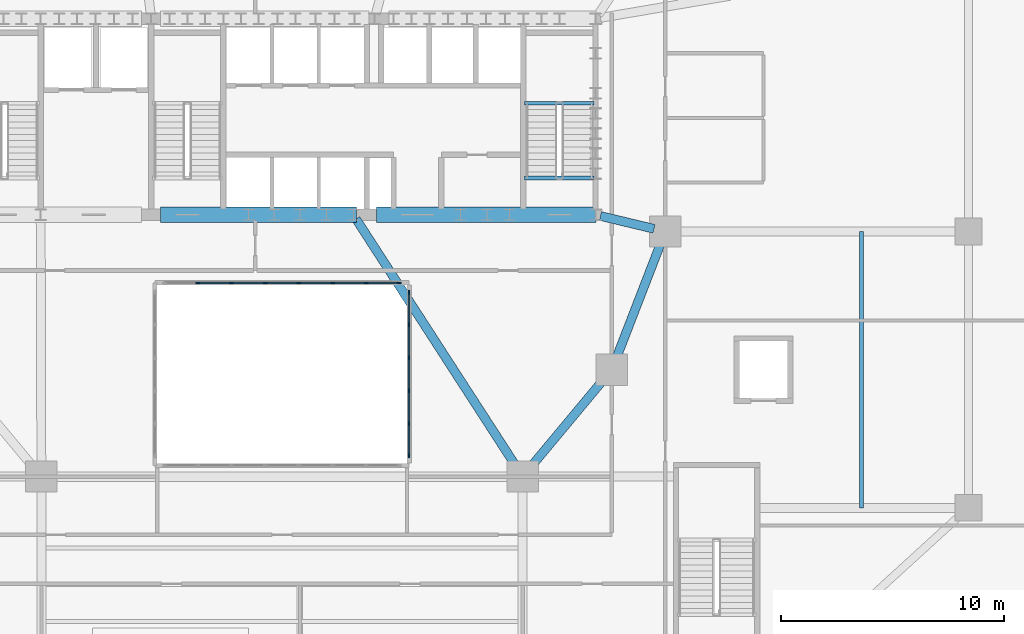
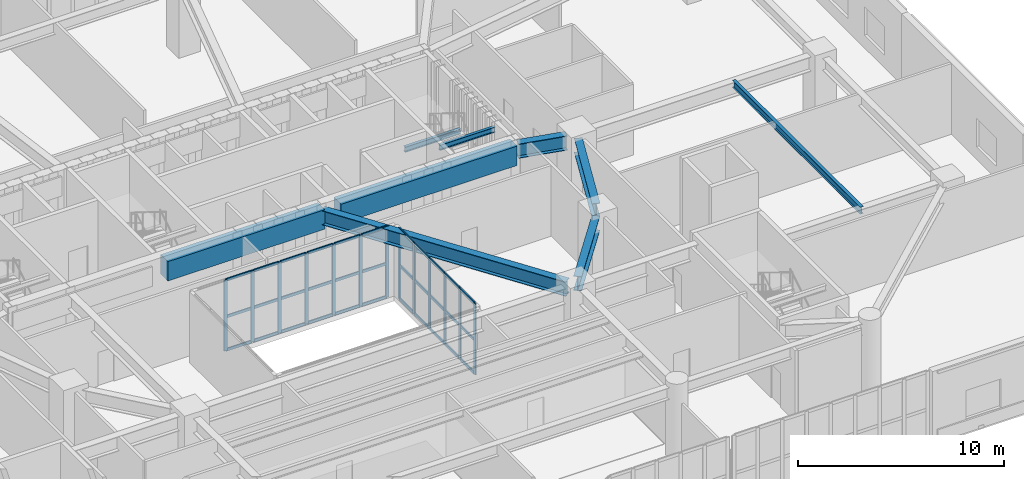
# One storey, part 7 of 25: 46 members, 9 beams, 2 elements without a shape of their own.
"""IFC4 building model written with IfcOpenShell, lengths in metres."""

from ifc_helpers import new_model, si_unit, direction, frame, origin, origin_2d, place, context, subcontext, project, spatial, rectangle, i_section, extrude, material, material_profile, profile_set, type_object, element, aggregate, save


model = new_model("IFC4")

# Units and contexts
model_context = context("Model", 3, precision=1e-05, world=origin(), true_north=direction((0.0, 1.0)))
body_context = subcontext(model_context, "Body", "Model", "MODEL_VIEW")
ifc_project = project(units=[si_unit("LENGTHUNIT", "METRE"), si_unit("AREAUNIT", "SQUARE_METRE"), si_unit("VOLUMEUNIT", "CUBIC_METRE"), si_unit("PLANEANGLEUNIT", "RADIAN"), si_unit("MASSUNIT", "GRAM", prefix="KILO")], contexts=[model_context])

# Site, building, storey
site_placement = place(None, origin())
site = spatial("IfcSite", under=ifc_project, at=site_placement, CompositionType="ELEMENT")
building_placement = place(site_placement, origin())
building = spatial("IfcBuilding", under=site, at=building_placement, Name="Haldorwick Loom Tower", CompositionType="ELEMENT")
storey_placement = place(building_placement, frame((0.0, 0.0, 10.5)))
storey = spatial("IfcBuildingStorey", under=building, at=storey_placement, Name="L02", CompositionType="ELEMENT", Elevation=10.5)

# Curtain wall, members
ifc_material_1 = material(Name="Thermally Broken Anodized Aluminium Curtain Wall Framing", Category="aluminium")
curtain_wall_type = type_object("IfcCurtainWallType", Name="ARC-CW-03", PredefinedType="NOTDEFINED", material=ifc_material_1)
curtain_wall_1_placement = place(storey_placement, origin())
curtain_wall_1 = element("IfcCurtainWall", 1, at=curtain_wall_1_placement, inside=storey, type_object=curtain_wall_type, Name="L02 Atrium Glazed Screen N", PredefinedType="NOTDEFINED")
ifc_material_profile_1 = material_profile(ifc_material_1, rectangle(XDim=0.06591796875, YDim=0.18505859375, at=origin_2d()), Name="ALU_MUL_66X185", Category="aluminium")
ifc_profile_set_1 = profile_set([ifc_material_profile_1], Name="Thermally Broken Anodized Aluminium Curtain Wall Framing")
member_type_1 = type_object("IfcMemberType", Name="ARC-CWM-03", PredefinedType="MULLION", material=ifc_profile_set_1)
member_1_placement = place(storey_placement, frame((32.21435546875, 23.699951171875, 0.0), z_axis=(0.0, 0.0, 1.0), x_axis=(0.0, 1.0, 0.0)))
member_1 = element("IfcMember", 2, at=member_1_placement, type_object=member_type_1, Name="CW-03 mullion 2", PredefinedType="MULLION", context=body_context, shape_type="SweptSolid", body=[
    extrude(rectangle(XDim=0.06591796875, YDim=0.18505859375, at=origin_2d()), origin(), (0.0, 0.0, 1.0), 4.199951171875),
])
member_2_placement = place(storey_placement, frame((33.728515625, 23.699951171875, 0.0), z_axis=(0.0, 0.0, 1.0), x_axis=(0.0, 1.0, 0.0)))
member_2 = element("IfcMember", 3, at=member_2_placement, type_object=member_type_1, Name="CW-03 mullion 3", PredefinedType="MULLION", context=body_context, shape_type="SweptSolid", body=[
    extrude(rectangle(XDim=0.06591796875, YDim=0.18505859375, at=origin_2d()), origin(), (0.0, 0.0, 1.0), 4.199951171875),
])
member_3_placement = place(storey_placement, frame((35.242919921875, 23.699951171875, 0.0), z_axis=(0.0, 0.0, 1.0), x_axis=(0.0, 1.0, 0.0)))
member_3 = element("IfcMember", 4, at=member_3_placement, type_object=member_type_1, Name="CW-03 mullion 4", PredefinedType="MULLION", context=body_context, shape_type="SweptSolid", body=[
    extrude(rectangle(XDim=0.06591796875, YDim=0.18505859375, at=origin_2d()), origin(), (0.0, 0.0, 1.0), 4.199951171875),
])
member_4_placement = place(storey_placement, frame((36.757080078125, 23.699951171875, 0.0), z_axis=(0.0, 0.0, 1.0), x_axis=(0.0, 1.0, 0.0)))
member_4 = element("IfcMember", 5, at=member_4_placement, type_object=member_type_1, Name="CW-03 mullion 5", PredefinedType="MULLION", context=body_context, shape_type="SweptSolid", body=[
    extrude(rectangle(XDim=0.06591796875, YDim=0.18505859375, at=origin_2d()), origin(), (0.0, 0.0, 1.0), 4.199951171875),
])
member_5_placement = place(storey_placement, frame((38.271484375, 23.699951171875, 0.0), z_axis=(0.0, 0.0, 1.0), x_axis=(0.0, 1.0, 0.0)))
member_5 = element("IfcMember", 6, at=member_5_placement, type_object=member_type_1, Name="CW-03 mullion 6", PredefinedType="MULLION", context=body_context, shape_type="SweptSolid", body=[
    extrude(rectangle(XDim=0.06591796875, YDim=0.18505859375, at=origin_2d()), origin(), (0.0, 0.0, 1.0), 4.199951171875),
])
member_6_placement = place(storey_placement, frame((39.78564453125, 23.699951171875, 0.0), z_axis=(0.0, 0.0, 1.0), x_axis=(0.0, 1.0, 0.0)))
member_6 = element("IfcMember", 7, at=member_6_placement, type_object=member_type_1, Name="CW-03 mullion 7", PredefinedType="MULLION", context=body_context, shape_type="SweptSolid", body=[
    extrude(rectangle(XDim=0.06591796875, YDim=0.18505859375, at=origin_2d()), origin(), (0.0, 0.0, 1.0), 4.199951171875),
])
member_7_placement = place(storey_placement, frame((41.26708984375, 23.699951171875, 0.0), z_axis=(0.0, 0.0, 1.0), x_axis=(0.0, 1.0, 0.0)))
member_7 = element("IfcMember", 8, at=member_7_placement, type_object=member_type_1, Name="CW-03 mullion 8", PredefinedType="MULLION", context=body_context, shape_type="SweptSolid", body=[
    extrude(rectangle(XDim=0.06591796875, YDim=0.18505859375, at=origin_2d()), origin(), (0.0, 0.0, 1.0), 4.199951171875),
])

curtain_wall_2_placement = place(storey_placement, origin())
curtain_wall_2 = element("IfcCurtainWall", 9, at=curtain_wall_2_placement, inside=storey, type_object=curtain_wall_type, Name="L02 Atrium Glazed Screen E", PredefinedType="NOTDEFINED")
member_8_placement = place(storey_placement, frame((41.699951171875, 23.26708984375, 0.0), z_axis=(0.0, 0.0, 1.0), x_axis=(1.0, 0.0, 0.0)))
member_8 = element("IfcMember", 10, at=member_8_placement, type_object=member_type_1, Name="CW-03 mullion 1", PredefinedType="MULLION", context=body_context, shape_type="SweptSolid", body=[
    extrude(rectangle(XDim=0.06591796875, YDim=0.18505859375, at=origin_2d()), origin(), (0.0, 0.0, 1.0), 4.199951171875),
])
member_9_placement = place(storey_placement, frame((41.699951171875, 21.820068359375, 0.0), z_axis=(0.0, 0.0, 1.0), x_axis=(1.0, 0.0, 0.0)))
member_9 = element("IfcMember", 11, at=member_9_placement, type_object=member_type_1, Name="CW-03 mullion 2", PredefinedType="MULLION", context=body_context, shape_type="SweptSolid", body=[
    extrude(rectangle(XDim=0.06591796875, YDim=0.18505859375, at=origin_2d()), origin(), (0.0, 0.0, 1.0), 4.199951171875),
])
member_10_placement = place(storey_placement, frame((41.699951171875, 20.340087890625, 0.0), z_axis=(0.0, 0.0, 1.0), x_axis=(1.0, 0.0, 0.0)))
member_10 = element("IfcMember", 12, at=member_10_placement, type_object=member_type_1, Name="CW-03 mullion 3", PredefinedType="MULLION", context=body_context, shape_type="SweptSolid", body=[
    extrude(rectangle(XDim=0.06591796875, YDim=0.18505859375, at=origin_2d()), origin(), (0.0, 0.0, 1.0), 4.199951171875),
])
member_11_placement = place(storey_placement, frame((41.699951171875, 18.860107421875, 0.0), z_axis=(0.0, 0.0, 1.0), x_axis=(1.0, 0.0, 0.0)))
member_11 = element("IfcMember", 13, at=member_11_placement, type_object=member_type_1, Name="CW-03 mullion 4", PredefinedType="MULLION", context=body_context, shape_type="SweptSolid", body=[
    extrude(rectangle(XDim=0.06591796875, YDim=0.18505859375, at=origin_2d()), origin(), (0.0, 0.0, 1.0), 4.199951171875),
])
member_12_placement = place(storey_placement, frame((41.699951171875, 17.3798828125, 0.0), z_axis=(0.0, 0.0, 1.0), x_axis=(1.0, 0.0, 0.0)))
member_12 = element("IfcMember", 14, at=member_12_placement, type_object=member_type_1, Name="CW-03 mullion 5", PredefinedType="MULLION", context=body_context, shape_type="SweptSolid", body=[
    extrude(rectangle(XDim=0.06591796875, YDim=0.18505859375, at=origin_2d()), origin(), (0.0, 0.0, 1.0), 4.199951171875),
])
member_13_placement = place(storey_placement, frame((41.699951171875, 15.93310546875, 0.0), z_axis=(0.0, 0.0, 1.0), x_axis=(1.0, 0.0, 0.0)))
member_13 = element("IfcMember", 15, at=member_13_placement, type_object=member_type_1, Name="CW-03 mullion 6", PredefinedType="MULLION", context=body_context, shape_type="SweptSolid", body=[
    extrude(rectangle(XDim=0.06591796875, YDim=0.18505859375, at=origin_2d()), origin(), (0.0, 0.0, 1.0), 4.199951171875),
])

# Member
ifc_material_profile_2 = material_profile(ifc_material_1, rectangle(XDim=0.06591796875, YDim=0.1650390625, at=origin_2d()), Name="ALU_TRN_66X165", Category="aluminium")
ifc_profile_set_2 = profile_set([ifc_material_profile_2], Name="Thermally Broken Anodized Aluminium Curtain Wall Framing")
member_type_2 = type_object("IfcMemberType", Name="ARC-CWT-03", PredefinedType="USERDEFINED", material=ifc_profile_set_2)
member_14_placement = place(storey_placement, frame((32.247314453125, 23.699951171875, 0.032958984375), z_axis=(1.0, 0.0, 0.0), x_axis=(0.0, 1.0, 0.0)))
member_14 = element("IfcMember", 16, at=member_14_placement, type_object=member_type_2, Name="CW-03 transom 2.1", ObjectType="TRANSOM", PredefinedType="USERDEFINED", context=body_context, shape_type="SweptSolid", body=[
    extrude(rectangle(XDim=0.06591796875, YDim=0.1650390625, at=origin_2d()), origin(), (0.0, 0.0, 1.0), 1.4482421875),
])

member_15_placement = place(storey_placement, frame((32.247314453125, 23.699951171875, 2.0), z_axis=(1.0, 0.0, 0.0), x_axis=(0.0, 1.0, 0.0)))
member_15 = element("IfcMember", 17, at=member_15_placement, type_object=member_type_2, Name="CW-03 transom 2.2", ObjectType="TRANSOM", PredefinedType="USERDEFINED", context=body_context, shape_type="SweptSolid", body=[
    extrude(rectangle(XDim=0.06591796875, YDim=0.1650390625, at=origin_2d()), origin(), (0.0, 0.0, 1.0), 1.4482421875),
])

member_16_placement = place(storey_placement, frame((32.247314453125, 23.699951171875, 4.1669921875), z_axis=(1.0, 0.0, 0.0), x_axis=(0.0, 1.0, 0.0)))
member_16 = element("IfcMember", 18, at=member_16_placement, type_object=member_type_2, Name="CW-03 transom 2.3", ObjectType="TRANSOM", PredefinedType="USERDEFINED", context=body_context, shape_type="SweptSolid", body=[
    extrude(rectangle(XDim=0.06591796875, YDim=0.1650390625, at=origin_2d()), origin(), (0.0, 0.0, 1.0), 1.4482421875),
])

member_17_placement = place(storey_placement, frame((33.761474609375, 23.699951171875, 0.032958984375), z_axis=(1.0, 0.0, 0.0), x_axis=(0.0, 1.0, 0.0)))
member_17 = element("IfcMember", 19, at=member_17_placement, type_object=member_type_2, Name="CW-03 transom 3.1", ObjectType="TRANSOM", PredefinedType="USERDEFINED", context=body_context, shape_type="SweptSolid", body=[
    extrude(rectangle(XDim=0.06591796875, YDim=0.1650390625, at=origin_2d()), origin(), (0.0, 0.0, 1.0), 1.448486328125),
])

member_18_placement = place(storey_placement, frame((33.761474609375, 23.699951171875, 2.0), z_axis=(1.0, 0.0, 0.0), x_axis=(0.0, 1.0, 0.0)))
member_18 = element("IfcMember", 20, at=member_18_placement, type_object=member_type_2, Name="CW-03 transom 3.2", ObjectType="TRANSOM", PredefinedType="USERDEFINED", context=body_context, shape_type="SweptSolid", body=[
    extrude(rectangle(XDim=0.06591796875, YDim=0.1650390625, at=origin_2d()), origin(), (0.0, 0.0, 1.0), 1.448486328125),
])

member_19_placement = place(storey_placement, frame((33.761474609375, 23.699951171875, 4.1669921875), z_axis=(1.0, 0.0, 0.0), x_axis=(0.0, 1.0, 0.0)))
member_19 = element("IfcMember", 21, at=member_19_placement, type_object=member_type_2, Name="CW-03 transom 3.3", ObjectType="TRANSOM", PredefinedType="USERDEFINED", context=body_context, shape_type="SweptSolid", body=[
    extrude(rectangle(XDim=0.06591796875, YDim=0.1650390625, at=origin_2d()), origin(), (0.0, 0.0, 1.0), 1.448486328125),
])

member_20_placement = place(storey_placement, frame((35.27587890625, 23.699951171875, 0.032958984375), z_axis=(1.0, 0.0, 0.0), x_axis=(0.0, 1.0, 0.0)))
member_20 = element("IfcMember", 22, at=member_20_placement, type_object=member_type_2, Name="CW-03 transom 4.1", ObjectType="TRANSOM", PredefinedType="USERDEFINED", context=body_context, shape_type="SweptSolid", body=[
    extrude(rectangle(XDim=0.06591796875, YDim=0.1650390625, at=origin_2d()), origin(), (0.0, 0.0, 1.0), 1.4482421875),
])

member_21_placement = place(storey_placement, frame((35.27587890625, 23.699951171875, 2.0), z_axis=(1.0, 0.0, 0.0), x_axis=(0.0, 1.0, 0.0)))
member_21 = element("IfcMember", 23, at=member_21_placement, type_object=member_type_2, Name="CW-03 transom 4.2", ObjectType="TRANSOM", PredefinedType="USERDEFINED", context=body_context, shape_type="SweptSolid", body=[
    extrude(rectangle(XDim=0.06591796875, YDim=0.1650390625, at=origin_2d()), origin(), (0.0, 0.0, 1.0), 1.4482421875),
])

member_22_placement = place(storey_placement, frame((35.27587890625, 23.699951171875, 4.1669921875), z_axis=(1.0, 0.0, 0.0), x_axis=(0.0, 1.0, 0.0)))
member_22 = element("IfcMember", 24, at=member_22_placement, type_object=member_type_2, Name="CW-03 transom 4.3", ObjectType="TRANSOM", PredefinedType="USERDEFINED", context=body_context, shape_type="SweptSolid", body=[
    extrude(rectangle(XDim=0.06591796875, YDim=0.1650390625, at=origin_2d()), origin(), (0.0, 0.0, 1.0), 1.4482421875),
])

member_23_placement = place(storey_placement, frame((36.7900390625, 23.699951171875, 0.032958984375), z_axis=(1.0, 0.0, 0.0), x_axis=(0.0, 1.0, 0.0)))
member_23 = element("IfcMember", 25, at=member_23_placement, type_object=member_type_2, Name="CW-03 transom 5.1", ObjectType="TRANSOM", PredefinedType="USERDEFINED", context=body_context, shape_type="SweptSolid", body=[
    extrude(rectangle(XDim=0.06591796875, YDim=0.1650390625, at=origin_2d()), origin(), (0.0, 0.0, 1.0), 1.448486328125),
])

member_24_placement = place(storey_placement, frame((36.7900390625, 23.699951171875, 2.0), z_axis=(1.0, 0.0, 0.0), x_axis=(0.0, 1.0, 0.0)))
member_24 = element("IfcMember", 26, at=member_24_placement, type_object=member_type_2, Name="CW-03 transom 5.2", ObjectType="TRANSOM", PredefinedType="USERDEFINED", context=body_context, shape_type="SweptSolid", body=[
    extrude(rectangle(XDim=0.06591796875, YDim=0.1650390625, at=origin_2d()), origin(), (0.0, 0.0, 1.0), 1.448486328125),
])

member_25_placement = place(storey_placement, frame((36.7900390625, 23.699951171875, 4.1669921875), z_axis=(1.0, 0.0, 0.0), x_axis=(0.0, 1.0, 0.0)))
member_25 = element("IfcMember", 27, at=member_25_placement, type_object=member_type_2, Name="CW-03 transom 5.3", ObjectType="TRANSOM", PredefinedType="USERDEFINED", context=body_context, shape_type="SweptSolid", body=[
    extrude(rectangle(XDim=0.06591796875, YDim=0.1650390625, at=origin_2d()), origin(), (0.0, 0.0, 1.0), 1.448486328125),
])

member_26_placement = place(storey_placement, frame((38.304443359375, 23.699951171875, 0.032958984375), z_axis=(1.0, 0.0, 0.0), x_axis=(0.0, 1.0, 0.0)))
member_26 = element("IfcMember", 28, at=member_26_placement, type_object=member_type_2, Name="CW-03 transom 6.1", ObjectType="TRANSOM", PredefinedType="USERDEFINED", context=body_context, shape_type="SweptSolid", body=[
    extrude(rectangle(XDim=0.06591796875, YDim=0.1650390625, at=origin_2d()), origin(), (0.0, 0.0, 1.0), 1.4482421875),
])

member_27_placement = place(storey_placement, frame((38.304443359375, 23.699951171875, 2.0), z_axis=(1.0, 0.0, 0.0), x_axis=(0.0, 1.0, 0.0)))
member_27 = element("IfcMember", 29, at=member_27_placement, type_object=member_type_2, Name="CW-03 transom 6.2", ObjectType="TRANSOM", PredefinedType="USERDEFINED", context=body_context, shape_type="SweptSolid", body=[
    extrude(rectangle(XDim=0.06591796875, YDim=0.1650390625, at=origin_2d()), origin(), (0.0, 0.0, 1.0), 1.4482421875),
])

member_28_placement = place(storey_placement, frame((38.304443359375, 23.699951171875, 4.1669921875), z_axis=(1.0, 0.0, 0.0), x_axis=(0.0, 1.0, 0.0)))
member_28 = element("IfcMember", 30, at=member_28_placement, type_object=member_type_2, Name="CW-03 transom 6.3", ObjectType="TRANSOM", PredefinedType="USERDEFINED", context=body_context, shape_type="SweptSolid", body=[
    extrude(rectangle(XDim=0.06591796875, YDim=0.1650390625, at=origin_2d()), origin(), (0.0, 0.0, 1.0), 1.4482421875),
])

member_29_placement = place(storey_placement, frame((39.818603515625, 23.699951171875, 0.032958984375), z_axis=(1.0, 0.0, 0.0), x_axis=(0.0, 1.0, 0.0)))
member_29 = element("IfcMember", 31, at=member_29_placement, type_object=member_type_2, Name="CW-03 transom 7.1", ObjectType="TRANSOM", PredefinedType="USERDEFINED", context=body_context, shape_type="SweptSolid", body=[
    extrude(rectangle(XDim=0.06591796875, YDim=0.1650390625, at=origin_2d()), origin(), (0.0, 0.0, 1.0), 1.415283203125),
])

member_30_placement = place(storey_placement, frame((39.818603515625, 23.699951171875, 2.0), z_axis=(1.0, 0.0, 0.0), x_axis=(0.0, 1.0, 0.0)))
member_30 = element("IfcMember", 32, at=member_30_placement, type_object=member_type_2, Name="CW-03 transom 7.2", ObjectType="TRANSOM", PredefinedType="USERDEFINED", context=body_context, shape_type="SweptSolid", body=[
    extrude(rectangle(XDim=0.06591796875, YDim=0.1650390625, at=origin_2d()), origin(), (0.0, 0.0, 1.0), 1.415283203125),
])

member_31_placement = place(storey_placement, frame((39.818603515625, 23.699951171875, 4.1669921875), z_axis=(1.0, 0.0, 0.0), x_axis=(0.0, 1.0, 0.0)))
member_31 = element("IfcMember", 33, at=member_31_placement, type_object=member_type_2, Name="CW-03 transom 7.3", ObjectType="TRANSOM", PredefinedType="USERDEFINED", context=body_context, shape_type="SweptSolid", body=[
    extrude(rectangle(XDim=0.06591796875, YDim=0.1650390625, at=origin_2d()), origin(), (0.0, 0.0, 1.0), 1.415283203125),
])

aggregate(curtain_wall_1, [member_1, member_2, member_3, member_4, member_5, member_6, member_7, member_14, member_15, member_16, member_17, member_18, member_19, member_20, member_21, member_22, member_23, member_24, member_25, member_26, member_27, member_28, member_29, member_30, member_31])

member_32_placement = place(storey_placement, frame((41.699951171875, 23.23388671875, 0.032958984375), z_axis=(0.0, -1.0, 0.0), x_axis=(1.0, 0.0, 0.0)))
member_32 = element("IfcMember", 34, at=member_32_placement, type_object=member_type_2, Name="CW-03 transom 1.1", ObjectType="TRANSOM", PredefinedType="USERDEFINED", context=body_context, shape_type="SweptSolid", body=[
    extrude(rectangle(XDim=0.06591796875, YDim=0.1650390625, at=origin_2d()), origin(), (0.0, 0.0, 1.0), 1.380859375),
])

member_33_placement = place(storey_placement, frame((41.699951171875, 23.23388671875, 2.0), z_axis=(0.0, -1.0, 0.0), x_axis=(1.0, 0.0, 0.0)))
member_33 = element("IfcMember", 35, at=member_33_placement, type_object=member_type_2, Name="CW-03 transom 1.2", ObjectType="TRANSOM", PredefinedType="USERDEFINED", context=body_context, shape_type="SweptSolid", body=[
    extrude(rectangle(XDim=0.06591796875, YDim=0.1650390625, at=origin_2d()), origin(), (0.0, 0.0, 1.0), 1.380859375),
])

member_34_placement = place(storey_placement, frame((41.699951171875, 23.23388671875, 4.1669921875), z_axis=(0.0, -1.0, 0.0), x_axis=(1.0, 0.0, 0.0)))
member_34 = element("IfcMember", 36, at=member_34_placement, type_object=member_type_2, Name="CW-03 transom 1.3", ObjectType="TRANSOM", PredefinedType="USERDEFINED", context=body_context, shape_type="SweptSolid", body=[
    extrude(rectangle(XDim=0.06591796875, YDim=0.1650390625, at=origin_2d()), origin(), (0.0, 0.0, 1.0), 1.380859375),
])

member_35_placement = place(storey_placement, frame((41.699951171875, 21.787109375, 0.032958984375), z_axis=(0.0, -1.0, 0.0), x_axis=(1.0, 0.0, 0.0)))
member_35 = element("IfcMember", 37, at=member_35_placement, type_object=member_type_2, Name="CW-03 transom 2.1", ObjectType="TRANSOM", PredefinedType="USERDEFINED", context=body_context, shape_type="SweptSolid", body=[
    extrude(rectangle(XDim=0.06591796875, YDim=0.1650390625, at=origin_2d()), origin(), (0.0, 0.0, 1.0), 1.4140625),
])

member_36_placement = place(storey_placement, frame((41.699951171875, 21.787109375, 2.0), z_axis=(0.0, -1.0, 0.0), x_axis=(1.0, 0.0, 0.0)))
member_36 = element("IfcMember", 38, at=member_36_placement, type_object=member_type_2, Name="CW-03 transom 2.2", ObjectType="TRANSOM", PredefinedType="USERDEFINED", context=body_context, shape_type="SweptSolid", body=[
    extrude(rectangle(XDim=0.06591796875, YDim=0.1650390625, at=origin_2d()), origin(), (0.0, 0.0, 1.0), 1.4140625),
])

member_37_placement = place(storey_placement, frame((41.699951171875, 21.787109375, 4.1669921875), z_axis=(0.0, -1.0, 0.0), x_axis=(1.0, 0.0, 0.0)))
member_37 = element("IfcMember", 39, at=member_37_placement, type_object=member_type_2, Name="CW-03 transom 2.3", ObjectType="TRANSOM", PredefinedType="USERDEFINED", context=body_context, shape_type="SweptSolid", body=[
    extrude(rectangle(XDim=0.06591796875, YDim=0.1650390625, at=origin_2d()), origin(), (0.0, 0.0, 1.0), 1.4140625),
])

member_38_placement = place(storey_placement, frame((41.699951171875, 20.306884765625, 0.032958984375), z_axis=(0.0, -1.0, 0.0), x_axis=(1.0, 0.0, 0.0)))
member_38 = element("IfcMember", 40, at=member_38_placement, type_object=member_type_2, Name="CW-03 transom 3.1", ObjectType="TRANSOM", PredefinedType="USERDEFINED", context=body_context, shape_type="SweptSolid", body=[
    extrude(rectangle(XDim=0.06591796875, YDim=0.1650390625, at=origin_2d()), origin(), (0.0, 0.0, 1.0), 1.413818359375),
])

member_39_placement = place(storey_placement, frame((41.699951171875, 20.306884765625, 2.0), z_axis=(0.0, -1.0, 0.0), x_axis=(1.0, 0.0, 0.0)))
member_39 = element("IfcMember", 41, at=member_39_placement, type_object=member_type_2, Name="CW-03 transom 3.2", ObjectType="TRANSOM", PredefinedType="USERDEFINED", context=body_context, shape_type="SweptSolid", body=[
    extrude(rectangle(XDim=0.06591796875, YDim=0.1650390625, at=origin_2d()), origin(), (0.0, 0.0, 1.0), 1.413818359375),
])

member_40_placement = place(storey_placement, frame((41.699951171875, 20.306884765625, 4.1669921875), z_axis=(0.0, -1.0, 0.0), x_axis=(1.0, 0.0, 0.0)))
member_40 = element("IfcMember", 42, at=member_40_placement, type_object=member_type_2, Name="CW-03 transom 3.3", ObjectType="TRANSOM", PredefinedType="USERDEFINED", context=body_context, shape_type="SweptSolid", body=[
    extrude(rectangle(XDim=0.06591796875, YDim=0.1650390625, at=origin_2d()), origin(), (0.0, 0.0, 1.0), 1.413818359375),
])

member_41_placement = place(storey_placement, frame((41.699951171875, 18.826904296875, 0.032958984375), z_axis=(0.0, -1.0, 0.0), x_axis=(1.0, 0.0, 0.0)))
member_41 = element("IfcMember", 43, at=member_41_placement, type_object=member_type_2, Name="CW-03 transom 4.1", ObjectType="TRANSOM", PredefinedType="USERDEFINED", context=body_context, shape_type="SweptSolid", body=[
    extrude(rectangle(XDim=0.06591796875, YDim=0.1650390625, at=origin_2d()), origin(), (0.0, 0.0, 1.0), 1.413818359375),
])

member_42_placement = place(storey_placement, frame((41.699951171875, 18.826904296875, 2.0), z_axis=(0.0, -1.0, 0.0), x_axis=(1.0, 0.0, 0.0)))
member_42 = element("IfcMember", 44, at=member_42_placement, type_object=member_type_2, Name="CW-03 transom 4.2", ObjectType="TRANSOM", PredefinedType="USERDEFINED", context=body_context, shape_type="SweptSolid", body=[
    extrude(rectangle(XDim=0.06591796875, YDim=0.1650390625, at=origin_2d()), origin(), (0.0, 0.0, 1.0), 1.413818359375),
])

member_43_placement = place(storey_placement, frame((41.699951171875, 18.826904296875, 4.1669921875), z_axis=(0.0, -1.0, 0.0), x_axis=(1.0, 0.0, 0.0)))
member_43 = element("IfcMember", 45, at=member_43_placement, type_object=member_type_2, Name="CW-03 transom 4.3", ObjectType="TRANSOM", PredefinedType="USERDEFINED", context=body_context, shape_type="SweptSolid", body=[
    extrude(rectangle(XDim=0.06591796875, YDim=0.1650390625, at=origin_2d()), origin(), (0.0, 0.0, 1.0), 1.413818359375),
])

member_44_placement = place(storey_placement, frame((41.699951171875, 17.346923828125, 0.032958984375), z_axis=(0.0, -1.0, 0.0), x_axis=(1.0, 0.0, 0.0)))
member_44 = element("IfcMember", 46, at=member_44_placement, type_object=member_type_2, Name="CW-03 transom 5.1", ObjectType="TRANSOM", PredefinedType="USERDEFINED", context=body_context, shape_type="SweptSolid", body=[
    extrude(rectangle(XDim=0.06591796875, YDim=0.1650390625, at=origin_2d()), origin(), (0.0, 0.0, 1.0), 1.380859375),
])

member_45_placement = place(storey_placement, frame((41.699951171875, 17.346923828125, 2.0), z_axis=(0.0, -1.0, 0.0), x_axis=(1.0, 0.0, 0.0)))
member_45 = element("IfcMember", 47, at=member_45_placement, type_object=member_type_2, Name="CW-03 transom 5.2", ObjectType="TRANSOM", PredefinedType="USERDEFINED", context=body_context, shape_type="SweptSolid", body=[
    extrude(rectangle(XDim=0.06591796875, YDim=0.1650390625, at=origin_2d()), origin(), (0.0, 0.0, 1.0), 1.380859375),
])

member_46_placement = place(storey_placement, frame((41.699951171875, 17.346923828125, 4.1669921875), z_axis=(0.0, -1.0, 0.0), x_axis=(1.0, 0.0, 0.0)))
member_46 = element("IfcMember", 48, at=member_46_placement, type_object=member_type_2, Name="CW-03 transom 5.3", ObjectType="TRANSOM", PredefinedType="USERDEFINED", context=body_context, shape_type="SweptSolid", body=[
    extrude(rectangle(XDim=0.06591796875, YDim=0.1650390625, at=origin_2d()), origin(), (0.0, 0.0, 1.0), 1.380859375),
])

aggregate(curtain_wall_2, [member_8, member_9, member_10, member_11, member_12, member_13, member_32, member_33, member_34, member_35, member_36, member_37, member_38, member_39, member_40, member_41, member_42, member_43, member_44, member_45, member_46])

# Beams
ifc_material_2 = material(Name="Concrete C60 (60 MPa)", Category="concrete")
ifc_material_profile_3 = material_profile(ifc_material_2, rectangle(XDim=0.699951171875, YDim=1.14990234375, at=origin_2d()), Name="RC700X1150", Category="concrete")
ifc_profile_set_3 = profile_set([ifc_material_profile_3], Name="Concrete C60 (60 MPa)")
beam_type_1 = type_object("IfcBeamType", Name="STR-BM-CB1150", PredefinedType="LINTEL", material=ifc_profile_set_3)
beam_1_placement = place(storey_placement, frame((30.550048828125, 26.75, 3.625), z_axis=(1.0, 0.0, 0.0), x_axis=(0.0, 1.0, 0.0)))
element("IfcBeam", 49, at=beam_1_placement, inside=storey, type_object=beam_type_1, Name="L02 Core Coupling Beam CB-S2", PredefinedType="LINTEL", context=body_context, shape_type="SweptSolid", body=[
    extrude(rectangle(XDim=0.699951171875, YDim=1.14990234375, at=origin_2d()), origin(), (0.0, 0.0, 1.0), 8.800048828125),
])
beam_2_placement = place(storey_placement, frame((40.25, 26.75, 3.625), z_axis=(1.0, 0.0, 0.0), x_axis=(0.0, 1.0, 0.0)))
element("IfcBeam", 50, at=beam_2_placement, inside=storey, type_object=beam_type_1, Name="L02 Core Coupling Beam CB-S3", PredefinedType="LINTEL", context=body_context, shape_type="SweptSolid", body=[
    extrude(rectangle(XDim=0.699951171875, YDim=1.14990234375, at=origin_2d()), origin(), (0.0, 0.0, 1.0), 9.85009765625),
])
ifc_material_3 = material(Name="Steel CSA G40.21 350W", Category="steel")
ifc_material_profile_4 = material_profile(ifc_material_3, i_section(OverallWidth=0.179931640625, OverallDepth=0.4130859375, WebThickness=0.009765625, FlangeThickness=0.01611328125, at=origin_2d()), Name="W410X74", Category="steel")
ifc_profile_set_4 = profile_set([ifc_material_profile_4], Name="Steel CSA G40.21 350W")
beam_type_2 = type_object("IfcBeamType", Name="STR-BM-J410", PredefinedType="JOIST", material=ifc_profile_set_4)
beam_3_placement = place(storey_placement, frame((62.0, 13.60009765625, 3.993408203125), z_axis=(0.0, 1.0, 0.0), x_axis=(-1.0, 0.0, 0.0)))
element("IfcBeam", 51, at=beam_3_placement, inside=storey, type_object=beam_type_2, Name="L02 Podium Secondary Joist PJ-E1", PredefinedType="JOIST", context=body_context, shape_type="SweptSolid", body=[
    extrude(i_section(OverallWidth=0.179931640625, OverallDepth=0.4130859375, WebThickness=0.009765625, FlangeThickness=0.01611328125, at=origin_2d()), origin(), (0.0, 0.0, 1.0), 12.39990234375),
])
ifc_material_profile_5 = material_profile(ifc_material_3, i_section(OverallWidth=0.166015625, OverallDepth=0.31298828125, WebThickness=0.006591796875, FlangeThickness=0.01123046875, at=origin_2d()), Name="W310X45", Category="steel")
ifc_profile_set_5 = profile_set([ifc_material_profile_5], Name="Steel CSA G40.21 350W")
beam_type_3 = type_object("IfcBeamType", Name="STR-BM-STRM", PredefinedType="BEAM", material=ifc_profile_set_5)
for number, where, z_axis, x_axis, name in (
    (52, (46.889892578125, 28.39990234375, 4.04345703125), (1.0, 0.0, 0.0), (0.0, 1.0, 0.0), "L02 Stair ST-02 Landing Edge Trimmer"),
    (53, (46.889892578125, 31.760009765625, 1.8935546875), (1.0, 0.0, 0.0), (0.0, 1.0, 0.0), "L02 Stair ST-02 Half-Landing Trimmer 1"),
):
    element("IfcBeam", number, at=place(storey_placement, frame(where, z_axis=z_axis, x_axis=x_axis)), inside=storey, type_object=beam_type_3, Name=name, PredefinedType="BEAM", context=body_context, shape_type="SweptSolid", body=[
        extrude(i_section(OverallWidth=0.166015625, OverallDepth=0.31298828125, WebThickness=0.006591796875, FlangeThickness=0.01123046875, at=origin_2d()), origin(), (0.0, 0.0, 1.0), 3.1201171875),
    ])
ifc_material_profile_6 = material_profile(ifc_material_3, i_section(OverallWidth=0.39990234375, OverallDepth=0.85498046875, WebThickness=0.018310546875, FlangeThickness=0.029296875, at=origin_2d()), Name="W840X299", Category="steel")
ifc_profile_set_6 = profile_set([ifc_material_profile_6], Name="Steel CSA G40.21 350W")
beam_type_4 = type_object("IfcBeamType", Name="STR-BM-W840", PredefinedType="BEAM", material=ifc_profile_set_6)
beam_4_placement = place(storey_placement, frame((50.288818359375, 26.697509765625, 3.7724609375), z_axis=(0.97247055837, -0.233025777764, 0.0), x_axis=(0.233025777764, 0.97247055837, 0.0)))
element("IfcBeam", 54, at=beam_4_placement, inside=storey, type_object=beam_type_4, Name="L02 Podium Inner Girder INE-1", PredefinedType="BEAM", context=body_context, shape_type="SweptSolid", body=[
    extrude(i_section(OverallWidth=0.39990234375, OverallDepth=0.85498046875, WebThickness=0.018310546875, FlangeThickness=0.029296875, at=origin_2d()), origin(), (0.0, 0.0, 1.0), 2.4736328125),
])
beam_5_placement = place(storey_placement, frame((53.01220703125, 25.51513671875, 3.7724609375), z_axis=(-0.360964792353, -0.93257944363, 0.0), x_axis=(0.93257944363, -0.360964792353, 0.0)))
element("IfcBeam", 55, at=beam_5_placement, inside=storey, type_object=beam_type_4, Name="L02 Podium Inner Girder INE-2", PredefinedType="BEAM", context=body_context, shape_type="SweptSolid", body=[
    extrude(i_section(OverallWidth=0.39990234375, OverallDepth=0.85498046875, WebThickness=0.018310546875, FlangeThickness=0.029296875, at=origin_2d()), origin(), (0.0, 0.0, 1.0), 5.6083984375),
])
beam_6_placement = place(storey_placement, frame((50.467041015625, 19.400390625, 3.7724609375), z_axis=(-0.640193621243, -0.768213594855, 0.0), x_axis=(0.768213594855, -0.640193621243, 0.0)))
element("IfcBeam", 56, at=beam_6_placement, inside=storey, type_object=beam_type_4, Name="L02 Podium Inner Girder INE-3", PredefinedType="BEAM", context=body_context, shape_type="SweptSolid", body=[
    extrude(i_section(OverallWidth=0.39990234375, OverallDepth=0.85498046875, WebThickness=0.018310546875, FlangeThickness=0.029296875, at=origin_2d()), origin(), (0.0, 0.0, 1.0), 5.208251953125),
])
beam_7_placement = place(storey_placement, frame((46.5556640625, 15.377685546875, 3.7724609375), z_axis=(-0.543098499406, 0.839668994273, 0.0), x_axis=(-0.839668994273, -0.543098499406, 0.0)))
element("IfcBeam", 57, at=beam_7_placement, inside=storey, type_object=beam_type_4, Name="L02 Podium Primary Girder PG-05", PredefinedType="BEAM", context=body_context, shape_type="SweptSolid", body=[
    extrude(i_section(OverallWidth=0.39990234375, OverallDepth=0.85498046875, WebThickness=0.018310546875, FlangeThickness=0.029296875, at=origin_2d()), origin(), (0.0, 0.0, 1.0), 13.31884765625),
])

save(model, "model.ifc")
